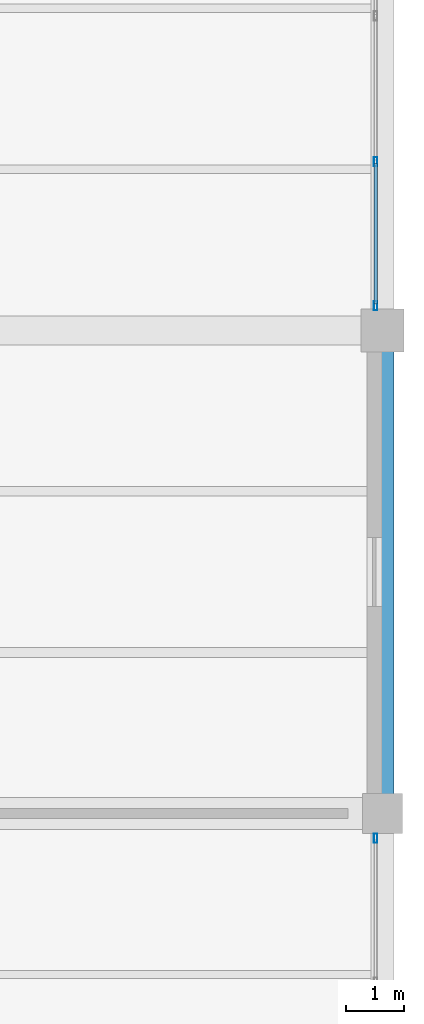
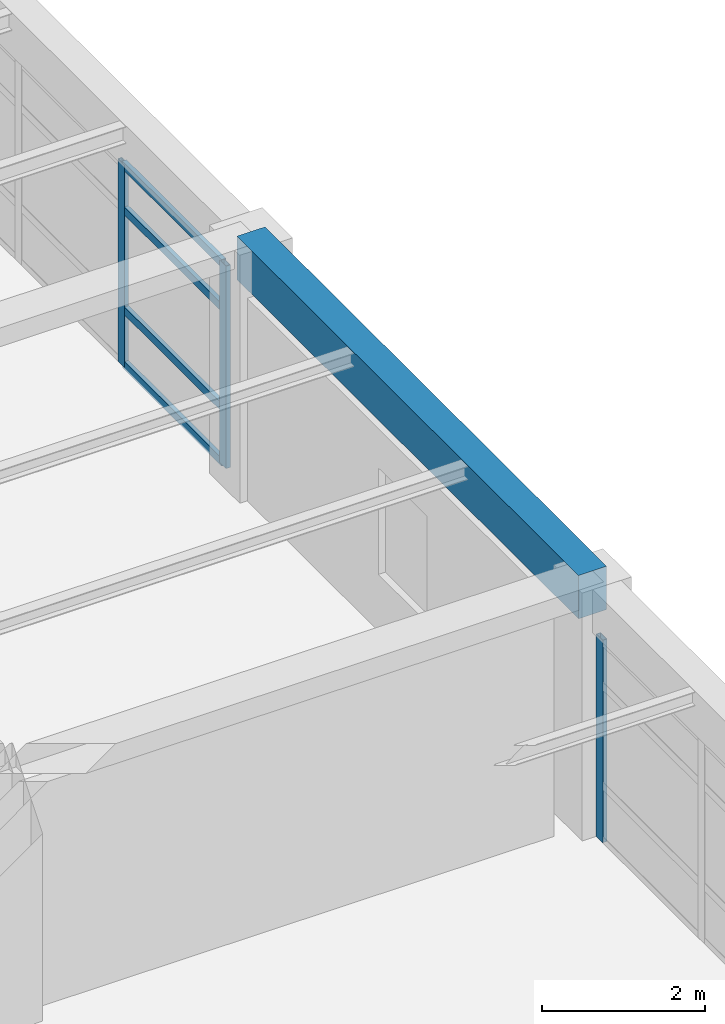
# One storey, part 18 of 31: 7 members, 1 beam, 2 elements without a shape of their own.
"""IFC4 building model written with IfcOpenShell, lengths in metres."""

from ifc_helpers import new_model, si_unit, direction, frame, origin, origin_2d, place, context, subcontext, project, spatial, rectangle, hollow_rectangle, extrude, material, material_profile, profile_set, type_object, element, aggregate, save


model = new_model("IFC4")

# Units and contexts
model_context = context("Model", 3, precision=1e-05, world=origin(), true_north=direction((0.0, 1.0)))
body_context = subcontext(model_context, "Body", "Model", "MODEL_VIEW")
ifc_project = project(units=[si_unit("LENGTHUNIT", "METRE"), si_unit("AREAUNIT", "SQUARE_METRE"), si_unit("VOLUMEUNIT", "CUBIC_METRE"), si_unit("PLANEANGLEUNIT", "RADIAN"), si_unit("MASSUNIT", "GRAM", prefix="KILO")], contexts=[model_context])

# Site, building, storey
site_placement = place(None, origin())
site = spatial("IfcSite", under=ifc_project, at=site_placement, CompositionType="ELEMENT")
building_placement = place(site_placement, origin())
building = spatial("IfcBuilding", under=site, at=building_placement, Name="Almacenes y Pasaje Nevantli", CompositionType="ELEMENT")
storey_placement = place(building_placement, frame((0.0, 0.0, 34.699951171875)))
storey = spatial("IfcBuildingStorey", under=building, at=storey_placement, Name="L08", CompositionType="ELEMENT", Elevation=34.699951171875)

# Beam
ifc_material_1 = material(Name="Concrete C35/45", Category="concrete")
ifc_material_profile_1 = material_profile(ifc_material_1, rectangle(XDim=0.39990234375, YDim=0.64990234375, at=origin_2d()), Name="RC-BM-400x650")
ifc_profile_set_1 = profile_set([ifc_material_profile_1], Name="Concrete C35/45")
beam_type = type_object("IfcBeamType", Name="BM-RC-400x650", PredefinedType="SPANDREL", material=ifc_profile_set_1)
beam_placement = place(storey_placement, frame((159.60009765625, 84.0, 3.39501953125), z_axis=(0.0, 1.0, 0.0), x_axis=(-1.0, 0.0, 0.0)))
element("IfcBeam", 1, at=beam_placement, inside=storey, type_object=beam_type, Name="L08 North-South Reinforced Concrete Beam #3739", PredefinedType="SPANDREL", context=body_context, shape_type="SweptSolid", body=[
    extrude(rectangle(XDim=0.39990234375, YDim=0.64990234375, at=origin_2d()), origin(), (0.0, 0.0, 1.0), 8.39990234375),
])

# Curtain wall, member
ifc_material_2 = material(Name="Thermally Broken Aluminium and Low-E Glass", Category="aluminium")
curtain_wall_type = type_object("IfcCurtainWallType", Name="CW-UNIT-TOWER", PredefinedType="USERDEFINED", material=ifc_material_2)
curtain_wall_1_placement = place(storey_placement, origin())
curtain_wall_1 = element("IfcCurtainWall", 2, at=curtain_wall_1_placement, inside=storey, type_object=curtain_wall_type, Name="L08 Tower East Curtain Wall Bay 10", ObjectType="UNITIZED CURTAIN WALL", PredefinedType="USERDEFINED")
ifc_material_3 = material(Name="Thermally Broken Anodized Aluminium", Category="aluminium")
ifc_material_profile_2 = material_profile(ifc_material_3, hollow_rectangle(XDim=0.06005859375, YDim=0.159912109375, WallThickness=0.00390625, at=origin_2d()), Name="ALU-MUL-60x160")
ifc_profile_set_2 = profile_set([ifc_material_profile_2], Name="Thermally Broken Anodized Aluminium")
member_type_1 = type_object("IfcMemberType", Name="CW-MUL-180", PredefinedType="MULLION", material=ifc_profile_set_2)
member_1_placement = place(storey_placement, frame((159.47998046875, 83.570068359375, 0.0), z_axis=(0.0, 0.0, 1.0), x_axis=(-1.0, 0.0, 0.0)))
member_1 = element("IfcMember", 3, at=member_1_placement, type_object=member_type_1, Name="CW-L08-128 mullion 4", PredefinedType="MULLION", context=body_context, shape_type="SweptSolid", body=[
    extrude(hollow_rectangle(XDim=0.06005859375, YDim=0.159912109375, WallThickness=0.00390625, at=origin_2d()), origin(), (0.0, 0.0, 1.0), 3.0400390625),
])
aggregate(curtain_wall_1, [member_1])

# Curtain wall, members
curtain_wall_2_placement = place(storey_placement, origin())
curtain_wall_2 = element("IfcCurtainWall", 4, at=curtain_wall_2_placement, inside=storey, type_object=curtain_wall_type, Name="L08 Tower East Curtain Wall Bay 12", ObjectType="UNITIZED CURTAIN WALL", PredefinedType="USERDEFINED")
member_2_placement = place(storey_placement, frame((159.47998046875, 92.830078125, 0.0), z_axis=(0.0, 0.0, 1.0), x_axis=(-1.0, 0.0, 0.0)))
member_2 = element("IfcMember", 5, at=member_2_placement, type_object=member_type_1, Name="CW-L08-130 mullion 1", PredefinedType="MULLION", context=body_context, shape_type="SweptSolid", body=[
    extrude(hollow_rectangle(XDim=0.06005859375, YDim=0.159912109375, WallThickness=0.00390625, at=origin_2d()), origin(), (0.0, 0.0, 1.0), 3.0400390625),
])
member_3_placement = place(storey_placement, frame((159.47998046875, 95.333251953125, 0.0), z_axis=(0.0, 0.0, 1.0), x_axis=(-1.0, 0.0, 0.0)))
member_3 = element("IfcMember", 6, at=member_3_placement, type_object=member_type_1, Name="CW-L08-130 mullion 2", PredefinedType="MULLION", context=body_context, shape_type="SweptSolid", body=[
    extrude(hollow_rectangle(XDim=0.06005859375, YDim=0.159912109375, WallThickness=0.00390625, at=origin_2d()), origin(), (0.0, 0.0, 1.0), 3.0400390625),
])
ifc_material_4 = material(Name="Thermally Broken Anodized Aluminium", Category="aluminium")
ifc_material_profile_3 = material_profile(ifc_material_4, hollow_rectangle(XDim=0.06005859375, YDim=0.1201171875, WallThickness=0.00341796875, at=origin_2d()), Name="ALU-TRN-60x120")
ifc_profile_set_3 = profile_set([ifc_material_profile_3], Name="Thermally Broken Anodized Aluminium")
member_type_2 = type_object("IfcMemberType", Name="CW-TRN-130", PredefinedType="USERDEFINED", material=ifc_profile_set_3)
member_4_placement = place(storey_placement, frame((159.47998046875, 92.860107421875, 0.030029296875), z_axis=(0.0, 1.0, 0.0), x_axis=(-1.0, 0.0, 0.0)))
member_4 = element("IfcMember", 7, at=member_4_placement, type_object=member_type_2, Name="CW-L08-130 transom 1.1", ObjectType="TRANSOM", PredefinedType="USERDEFINED", context=body_context, shape_type="SweptSolid", body=[
    extrude(hollow_rectangle(XDim=0.06005859375, YDim=0.1201171875, WallThickness=0.00341796875, at=origin_2d()), origin(), (0.0, 0.0, 1.0), 2.443115234375),
])
member_5_placement = place(storey_placement, frame((159.47998046875, 92.860107421875, 0.85009765625), z_axis=(0.0, 1.0, 0.0), x_axis=(-1.0, 0.0, 0.0)))
member_5 = element("IfcMember", 8, at=member_5_placement, type_object=member_type_2, Name="CW-L08-130 transom 1.2", ObjectType="TRANSOM", PredefinedType="USERDEFINED", context=body_context, shape_type="SweptSolid", body=[
    extrude(hollow_rectangle(XDim=0.06005859375, YDim=0.1201171875, WallThickness=0.00341796875, at=origin_2d()), origin(), (0.0, 0.0, 1.0), 2.443115234375),
])
member_6_placement = place(storey_placement, frame((159.47998046875, 92.860107421875, 2.35009765625), z_axis=(0.0, 1.0, 0.0), x_axis=(-1.0, 0.0, 0.0)))
member_6 = element("IfcMember", 9, at=member_6_placement, type_object=member_type_2, Name="CW-L08-130 transom 1.3", ObjectType="TRANSOM", PredefinedType="USERDEFINED", context=body_context, shape_type="SweptSolid", body=[
    extrude(hollow_rectangle(XDim=0.06005859375, YDim=0.1201171875, WallThickness=0.00341796875, at=origin_2d()), origin(), (0.0, 0.0, 1.0), 2.443115234375),
])
member_7_placement = place(storey_placement, frame((159.47998046875, 92.860107421875, 3.010009765625), z_axis=(0.0, 1.0, 0.0), x_axis=(-1.0, 0.0, 0.0)))
member_7 = element("IfcMember", 10, at=member_7_placement, type_object=member_type_2, Name="CW-L08-130 transom 1.4", ObjectType="TRANSOM", PredefinedType="USERDEFINED", context=body_context, shape_type="SweptSolid", body=[
    extrude(hollow_rectangle(XDim=0.06005859375, YDim=0.1201171875, WallThickness=0.00341796875, at=origin_2d()), origin(), (0.0, 0.0, 1.0), 2.443115234375),
])
aggregate(curtain_wall_2, [member_2, member_3, member_4, member_5, member_6, member_7])

save(model, "model.ifc")
